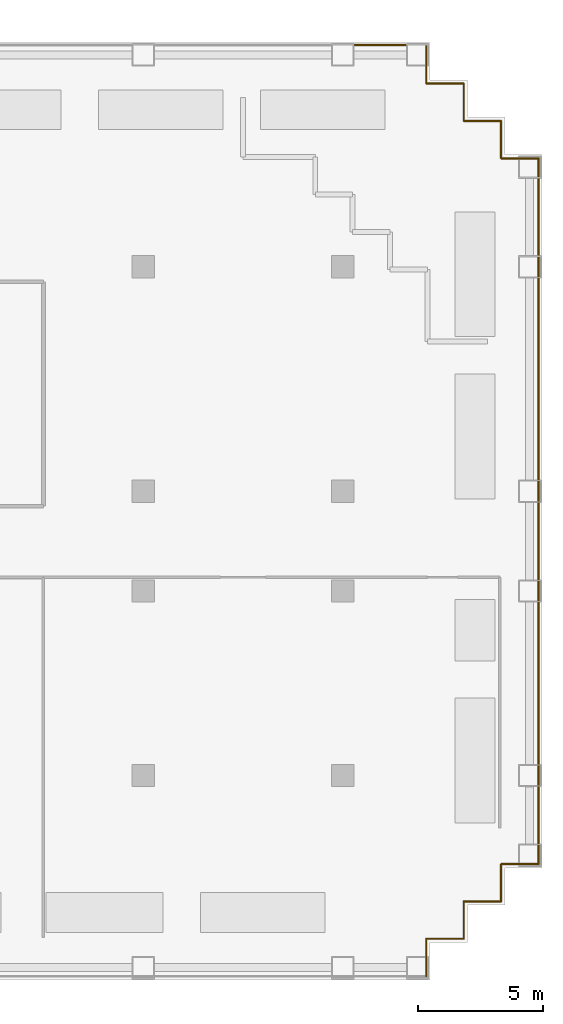
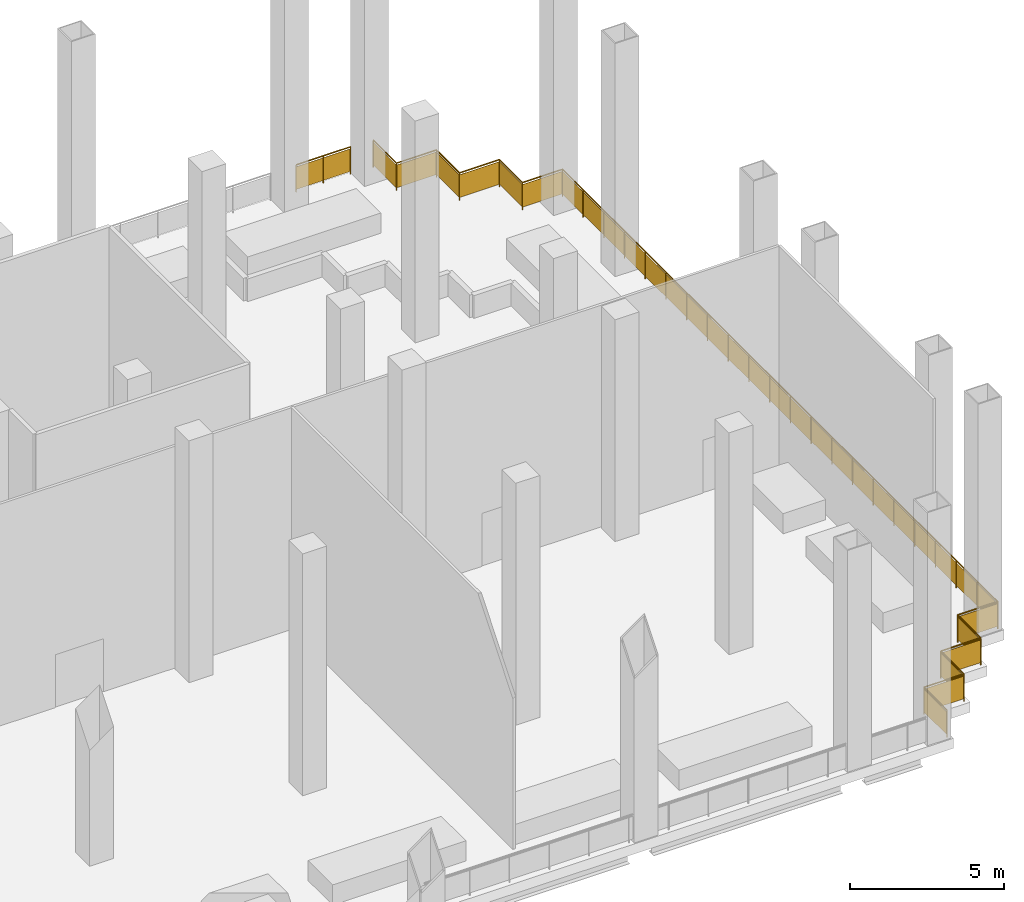
# One storey, part 9 of 9: 16 railings.
"""IFC4 building model written with IfcOpenShell, lengths in metres."""

from ifc_helpers import new_model, si_unit, direction, frame, origin, origin_2d, place, context, subcontext, project, spatial, rectangle, circle, extrude, material, type_object, element, save


model = new_model("IFC4")

# Units and contexts
model_context = context("Model", 3, precision=1e-05, world=origin(), true_north=direction((0.0, 1.0)))
body_context = subcontext(model_context, "Body", "Model", "MODEL_VIEW")
ifc_project = project(units=[si_unit("LENGTHUNIT", "METRE"), si_unit("AREAUNIT", "SQUARE_METRE"), si_unit("VOLUMEUNIT", "CUBIC_METRE"), si_unit("PLANEANGLEUNIT", "RADIAN"), si_unit("MASSUNIT", "GRAM", prefix="KILO")], contexts=[model_context])

# Site, building, storey
site_placement = place(None, origin())
site = spatial("IfcSite", under=ifc_project, at=site_placement, CompositionType="ELEMENT")
building_placement = place(site_placement, origin())
building = spatial("IfcBuilding", under=site, at=building_placement, Name="Vidyagriha Tower", CompositionType="ELEMENT")
storey_placement = place(building_placement, frame((0.0, 0.0, 106.300048828125)))
storey = spatial("IfcBuildingStorey", under=building, at=storey_placement, Name="L28", CompositionType="ELEMENT", Elevation=106.300048828125)

# Railings
ifc_material_1 = material(Name="Steel ASTM A500 Grade C black painted", Category="steel")
railing_type_1 = type_object("IfcRailingType", Name="Gallery guard 1100", PredefinedType="GUARDRAIL", material=ifc_material_1)
railing_1_placement = place(storey_placement, frame((34.47998046875, 19.89990234375, 0.0)))
element("IfcRailing", 1, at=railing_1_placement, inside=storey, type_object=railing_type_1, Name="Gallery guard L28 6", PredefinedType="GUARDRAIL", context=body_context, shape_type="SweptSolid", body=[
    extrude(circle(Radius=0.02490234375, at=origin_2d()), frame((0.0, 0.0, 1.0751953125), z_axis=(1.0, 0.0, 0.0), x_axis=(0.0, 1.0, 0.0)), (0.0, 0.0, 1.0), 2.0400390625),
    extrude(circle(Radius=0.02001953125, at=origin_2d()), origin(), (0.0, 0.0, 1.0), 1.050048828125),
    extrude(circle(Radius=0.02001953125, at=origin_2d()), frame((1.02001953125, 0.0, 0.0)), (0.0, 0.0, 1.0), 1.050048828125),
    extrude(circle(Radius=0.02001953125, at=origin_2d()), frame((2.0400390625, 0.0, 0.0)), (0.0, 0.0, 1.0), 1.050048828125),
    extrude(rectangle(XDim=0.010009765625, YDim=0.900146484375, at=origin_2d()), frame((0.0, 0.0, 0.550048828125), z_axis=(1.0, 0.0, 0.0), x_axis=(0.0, 1.0, 0.0)), (0.0, 0.0, 1.0), 2.0400390625),
])
ifc_material_2 = material(Name="Steel ASTM A500 Grade C black painted", Category="steel")
railing_type_2 = type_object("IfcRailingType", Name="Wind floor guard 1100", PredefinedType="GUARDRAIL", material=ifc_material_2)
railing_2_placement = place(storey_placement, frame((37.35009765625, 19.85009765625, 0.0)))
element("IfcRailing", 2, at=railing_2_placement, inside=storey, type_object=railing_type_2, Name="Wind floor guard L28 1", PredefinedType="GUARDRAIL", context=body_context, shape_type="SweptSolid", body=[
    extrude(circle(Radius=0.02490234375, at=origin_2d()), frame((0.0, 0.0, 1.0751953125), z_axis=(0.0, -1.0, 0.0), x_axis=(1.0, 0.0, 0.0)), (0.0, 0.0, 1.0), 1.5),
    extrude(circle(Radius=0.02001953125, at=origin_2d()), origin(), (0.0, 0.0, 1.0), 1.050048828125),
    extrude(circle(Radius=0.02001953125, at=origin_2d()), frame((0.0, -1.5, 0.0)), (0.0, 0.0, 1.0), 1.050048828125),
    extrude(rectangle(XDim=0.010009765625, YDim=0.900146484375, at=origin_2d()), frame((0.0, 0.0, 0.550048828125), z_axis=(0.0, -1.0, 0.0), x_axis=(1.0, 0.0, 0.0)), (0.0, 0.0, 1.0), 1.5),
])
railing_3_placement = place(storey_placement, frame((37.35009765625, 18.35009765625, 0.0)))
element("IfcRailing", 3, at=railing_3_placement, inside=storey, type_object=railing_type_2, Name="Wind floor guard L28 2", PredefinedType="GUARDRAIL", context=body_context, shape_type="SweptSolid", body=[
    extrude(circle(Radius=0.02490234375, at=origin_2d()), frame((0.0, 0.0, 1.0751953125), z_axis=(1.0, 0.0, 0.0), x_axis=(0.0, 1.0, 0.0)), (0.0, 0.0, 1.0), 1.5),
    extrude(circle(Radius=0.02001953125, at=origin_2d()), origin(), (0.0, 0.0, 1.0), 1.050048828125),
    extrude(circle(Radius=0.02001953125, at=origin_2d()), frame((1.5, 0.0, 0.0)), (0.0, 0.0, 1.0), 1.050048828125),
    extrude(rectangle(XDim=0.010009765625, YDim=0.900146484375, at=origin_2d()), frame((0.0, 0.0, 0.550048828125), z_axis=(1.0, 0.0, 0.0), x_axis=(0.0, 1.0, 0.0)), (0.0, 0.0, 1.0), 1.5),
])
railing_4_placement = place(storey_placement, frame((38.85009765625, 18.35009765625, 0.0)))
element("IfcRailing", 4, at=railing_4_placement, inside=storey, type_object=railing_type_2, Name="Wind floor guard L28 3", PredefinedType="GUARDRAIL", context=body_context, shape_type="SweptSolid", body=[
    extrude(circle(Radius=0.02490234375, at=origin_2d()), frame((0.0, 0.0, 1.0751953125), z_axis=(0.0, -1.0, 0.0), x_axis=(1.0, 0.0, 0.0)), (0.0, 0.0, 1.0), 1.5),
    extrude(circle(Radius=0.02001953125, at=origin_2d()), origin(), (0.0, 0.0, 1.0), 1.050048828125),
    extrude(circle(Radius=0.02001953125, at=origin_2d()), frame((0.0, -1.5, 0.0)), (0.0, 0.0, 1.0), 1.050048828125),
    extrude(rectangle(XDim=0.010009765625, YDim=0.900146484375, at=origin_2d()), frame((0.0, 0.0, 0.550048828125), z_axis=(0.0, -1.0, 0.0), x_axis=(1.0, 0.0, 0.0)), (0.0, 0.0, 1.0), 1.5),
])
railing_5_placement = place(storey_placement, frame((38.85009765625, 16.85009765625, 0.0)))
element("IfcRailing", 5, at=railing_5_placement, inside=storey, type_object=railing_type_2, Name="Wind floor guard L28 4", PredefinedType="GUARDRAIL", context=body_context, shape_type="SweptSolid", body=[
    extrude(circle(Radius=0.02490234375, at=origin_2d()), frame((0.0, 0.0, 1.0751953125), z_axis=(1.0, 0.0, 0.0), x_axis=(0.0, 1.0, 0.0)), (0.0, 0.0, 1.0), 1.5),
    extrude(circle(Radius=0.02001953125, at=origin_2d()), origin(), (0.0, 0.0, 1.0), 1.050048828125),
    extrude(circle(Radius=0.02001953125, at=origin_2d()), frame((1.5, 0.0, 0.0)), (0.0, 0.0, 1.0), 1.050048828125),
    extrude(rectangle(XDim=0.010009765625, YDim=0.900146484375, at=origin_2d()), frame((0.0, 0.0, 0.550048828125), z_axis=(1.0, 0.0, 0.0), x_axis=(0.0, 1.0, 0.0)), (0.0, 0.0, 1.0), 1.5),
])
railing_6_placement = place(storey_placement, frame((40.35009765625, 16.85009765625, 0.0)))
element("IfcRailing", 6, at=railing_6_placement, inside=storey, type_object=railing_type_2, Name="Wind floor guard L28 5", PredefinedType="GUARDRAIL", context=body_context, shape_type="SweptSolid", body=[
    extrude(circle(Radius=0.02490234375, at=origin_2d()), frame((0.0, 0.0, 1.0751953125), z_axis=(0.0, -1.0, 0.0), x_axis=(1.0, 0.0, 0.0)), (0.0, 0.0, 1.0), 1.5),
    extrude(circle(Radius=0.02001953125, at=origin_2d()), origin(), (0.0, 0.0, 1.0), 1.050048828125),
    extrude(circle(Radius=0.02001953125, at=origin_2d()), frame((0.0, -1.5, 0.0)), (0.0, 0.0, 1.0), 1.050048828125),
    extrude(rectangle(XDim=0.010009765625, YDim=0.900146484375, at=origin_2d()), frame((0.0, 0.0, 0.550048828125), z_axis=(0.0, -1.0, 0.0), x_axis=(1.0, 0.0, 0.0)), (0.0, 0.0, 1.0), 1.5),
])
railing_7_placement = place(storey_placement, frame((40.35009765625, 15.35009765625, 0.0)))
element("IfcRailing", 7, at=railing_7_placement, inside=storey, type_object=railing_type_2, Name="Wind floor guard L28 6", PredefinedType="GUARDRAIL", context=body_context, shape_type="SweptSolid", body=[
    extrude(circle(Radius=0.02490234375, at=origin_2d()), frame((0.0, 0.0, 1.0751953125), z_axis=(1.0, 0.0, 0.0), x_axis=(0.0, 1.0, 0.0)), (0.0, 0.0, 1.0), 1.5),
    extrude(circle(Radius=0.02001953125, at=origin_2d()), origin(), (0.0, 0.0, 1.0), 1.050048828125),
    extrude(circle(Radius=0.02001953125, at=origin_2d()), frame((1.5, 0.0, 0.0)), (0.0, 0.0, 1.0), 1.050048828125),
    extrude(rectangle(XDim=0.010009765625, YDim=0.900146484375, at=origin_2d()), frame((0.0, 0.0, 0.550048828125), z_axis=(1.0, 0.0, 0.0), x_axis=(0.0, 1.0, 0.0)), (0.0, 0.0, 1.0), 1.5),
])
for number, where, name in (
    (8, (41.85009765625, 15.35009765625, 0.0), "Wind floor guard L28 7"),
    (9, (41.85009765625, 5.916748046875, 0.0), "Wind floor guard L28 8"),
    (10, (41.85009765625, -3.5166015625, 0.0), "Wind floor guard L28 9"),
):
    element("IfcRailing", number, at=place(storey_placement, frame(where)), inside=storey, type_object=railing_type_2, Name=name, PredefinedType="GUARDRAIL", context=body_context, shape_type="SweptSolid", body=[
        extrude(circle(Radius=0.02490234375, at=origin_2d()), frame((0.0, 0.0, 1.0751953125), z_axis=(0.0, -1.0, 0.0), x_axis=(1.0, 0.0, 0.0)), (0.0, 0.0, 1.0), 9.433349609375),
        extrude(circle(Radius=0.02001953125, at=origin_2d()), origin(), (0.0, 0.0, 1.0), 1.050048828125),
        extrude(circle(Radius=0.02001953125, at=origin_2d()), frame((0.0, -1.34765625, 0.0)), (0.0, 0.0, 1.0), 1.050048828125),
        extrude(circle(Radius=0.02001953125, at=origin_2d()), frame((0.0, -2.6953125, 0.0)), (0.0, 0.0, 1.0), 1.050048828125),
        extrude(circle(Radius=0.02001953125, at=origin_2d()), frame((0.0, -4.04296875, 0.0)), (0.0, 0.0, 1.0), 1.050048828125),
        extrude(circle(Radius=0.02001953125, at=origin_2d()), frame((0.0, -5.390380859375, 0.0)), (0.0, 0.0, 1.0), 1.050048828125),
        extrude(circle(Radius=0.02001953125, at=origin_2d()), frame((0.0, -6.738037109375, 0.0)), (0.0, 0.0, 1.0), 1.050048828125),
        extrude(circle(Radius=0.02001953125, at=origin_2d()), frame((0.0, -8.085693359375, 0.0)), (0.0, 0.0, 1.0), 1.050048828125),
        extrude(circle(Radius=0.02001953125, at=origin_2d()), frame((0.0, -9.433349609375, 0.0)), (0.0, 0.0, 1.0), 1.050048828125),
        extrude(rectangle(XDim=0.010009765625, YDim=0.900146484375, at=origin_2d()), frame((0.0, 0.0, 0.550048828125), z_axis=(0.0, -1.0, 0.0), x_axis=(1.0, 0.0, 0.0)), (0.0, 0.0, 1.0), 9.433349609375),
    ])
railing_8_placement = place(storey_placement, frame((41.85009765625, -12.949951171875, 0.0)))
element("IfcRailing", 11, at=railing_8_placement, inside=storey, type_object=railing_type_2, Name="Wind floor guard L28 10", PredefinedType="GUARDRAIL", context=body_context, shape_type="SweptSolid", body=[
    extrude(circle(Radius=0.02490234375, at=origin_2d()), frame((0.0, 0.0, 1.0751953125), z_axis=(-1.0, 0.0, 0.0), x_axis=(0.0, -1.0, 0.0)), (0.0, 0.0, 1.0), 1.5),
    extrude(circle(Radius=0.02001953125, at=origin_2d()), origin(), (0.0, 0.0, 1.0), 1.050048828125),
    extrude(circle(Radius=0.02001953125, at=origin_2d()), frame((-1.5, 0.0, 0.0)), (0.0, 0.0, 1.0), 1.050048828125),
    extrude(rectangle(XDim=0.010009765625, YDim=0.900146484375, at=origin_2d()), frame((0.0, 0.0, 0.550048828125), z_axis=(-1.0, 0.0, 0.0), x_axis=(0.0, -1.0, 0.0)), (0.0, 0.0, 1.0), 1.5),
])
railing_9_placement = place(storey_placement, frame((40.35009765625, -12.949951171875, 0.0)))
element("IfcRailing", 12, at=railing_9_placement, inside=storey, type_object=railing_type_2, Name="Wind floor guard L28 11", PredefinedType="GUARDRAIL", context=body_context, shape_type="SweptSolid", body=[
    extrude(circle(Radius=0.02490234375, at=origin_2d()), frame((0.0, 0.0, 1.0751953125), z_axis=(0.0, -1.0, 0.0), x_axis=(1.0, 0.0, 0.0)), (0.0, 0.0, 1.0), 1.5),
    extrude(circle(Radius=0.02001953125, at=origin_2d()), origin(), (0.0, 0.0, 1.0), 1.050048828125),
    extrude(circle(Radius=0.02001953125, at=origin_2d()), frame((0.0, -1.5, 0.0)), (0.0, 0.0, 1.0), 1.050048828125),
    extrude(rectangle(XDim=0.010009765625, YDim=0.900146484375, at=origin_2d()), frame((0.0, 0.0, 0.550048828125), z_axis=(0.0, -1.0, 0.0), x_axis=(1.0, 0.0, 0.0)), (0.0, 0.0, 1.0), 1.5),
])
railing_10_placement = place(storey_placement, frame((40.35009765625, -14.449951171875, 0.0)))
element("IfcRailing", 13, at=railing_10_placement, inside=storey, type_object=railing_type_2, Name="Wind floor guard L28 12", PredefinedType="GUARDRAIL", context=body_context, shape_type="SweptSolid", body=[
    extrude(circle(Radius=0.02490234375, at=origin_2d()), frame((0.0, 0.0, 1.0751953125), z_axis=(-1.0, 0.0, 0.0), x_axis=(0.0, -1.0, 0.0)), (0.0, 0.0, 1.0), 1.5),
    extrude(circle(Radius=0.02001953125, at=origin_2d()), origin(), (0.0, 0.0, 1.0), 1.050048828125),
    extrude(circle(Radius=0.02001953125, at=origin_2d()), frame((-1.5, 0.0, 0.0)), (0.0, 0.0, 1.0), 1.050048828125),
    extrude(rectangle(XDim=0.010009765625, YDim=0.900146484375, at=origin_2d()), frame((0.0, 0.0, 0.550048828125), z_axis=(-1.0, 0.0, 0.0), x_axis=(0.0, -1.0, 0.0)), (0.0, 0.0, 1.0), 1.5),
])
railing_11_placement = place(storey_placement, frame((38.85009765625, -14.449951171875, 0.0)))
element("IfcRailing", 14, at=railing_11_placement, inside=storey, type_object=railing_type_2, Name="Wind floor guard L28 13", PredefinedType="GUARDRAIL", context=body_context, shape_type="SweptSolid", body=[
    extrude(circle(Radius=0.02490234375, at=origin_2d()), frame((0.0, 0.0, 1.0751953125), z_axis=(0.0, -1.0, 0.0), x_axis=(1.0, 0.0, 0.0)), (0.0, 0.0, 1.0), 1.5),
    extrude(circle(Radius=0.02001953125, at=origin_2d()), origin(), (0.0, 0.0, 1.0), 1.050048828125),
    extrude(circle(Radius=0.02001953125, at=origin_2d()), frame((0.0, -1.5, 0.0)), (0.0, 0.0, 1.0), 1.050048828125),
    extrude(rectangle(XDim=0.010009765625, YDim=0.900146484375, at=origin_2d()), frame((0.0, 0.0, 0.550048828125), z_axis=(0.0, -1.0, 0.0), x_axis=(1.0, 0.0, 0.0)), (0.0, 0.0, 1.0), 1.5),
])
railing_12_placement = place(storey_placement, frame((38.85009765625, -15.949951171875, 0.0)))
element("IfcRailing", 15, at=railing_12_placement, inside=storey, type_object=railing_type_2, Name="Wind floor guard L28 14", PredefinedType="GUARDRAIL", context=body_context, shape_type="SweptSolid", body=[
    extrude(circle(Radius=0.02490234375, at=origin_2d()), frame((0.0, 0.0, 1.0751953125), z_axis=(-1.0, 0.0, 0.0), x_axis=(0.0, -1.0, 0.0)), (0.0, 0.0, 1.0), 1.5),
    extrude(circle(Radius=0.02001953125, at=origin_2d()), origin(), (0.0, 0.0, 1.0), 1.050048828125),
    extrude(circle(Radius=0.02001953125, at=origin_2d()), frame((-1.5, 0.0, 0.0)), (0.0, 0.0, 1.0), 1.050048828125),
    extrude(rectangle(XDim=0.010009765625, YDim=0.900146484375, at=origin_2d()), frame((0.0, 0.0, 0.550048828125), z_axis=(-1.0, 0.0, 0.0), x_axis=(0.0, -1.0, 0.0)), (0.0, 0.0, 1.0), 1.5),
])
railing_13_placement = place(storey_placement, frame((37.35009765625, -15.949951171875, 0.0)))
element("IfcRailing", 16, at=railing_13_placement, inside=storey, type_object=railing_type_2, Name="Wind floor guard L28 15", PredefinedType="GUARDRAIL", context=body_context, shape_type="SweptSolid", body=[
    extrude(circle(Radius=0.02490234375, at=origin_2d()), frame((0.0, 0.0, 1.0751953125), z_axis=(0.0, -1.0, 0.0), x_axis=(1.0, 0.0, 0.0)), (0.0, 0.0, 1.0), 1.5),
    extrude(circle(Radius=0.02001953125, at=origin_2d()), origin(), (0.0, 0.0, 1.0), 1.050048828125),
    extrude(circle(Radius=0.02001953125, at=origin_2d()), frame((0.0, -1.5, 0.0)), (0.0, 0.0, 1.0), 1.050048828125),
    extrude(rectangle(XDim=0.010009765625, YDim=0.900146484375, at=origin_2d()), frame((0.0, 0.0, 0.550048828125), z_axis=(0.0, -1.0, 0.0), x_axis=(1.0, 0.0, 0.0)), (0.0, 0.0, 1.0), 1.5),
])

save(model, "model.ifc")
